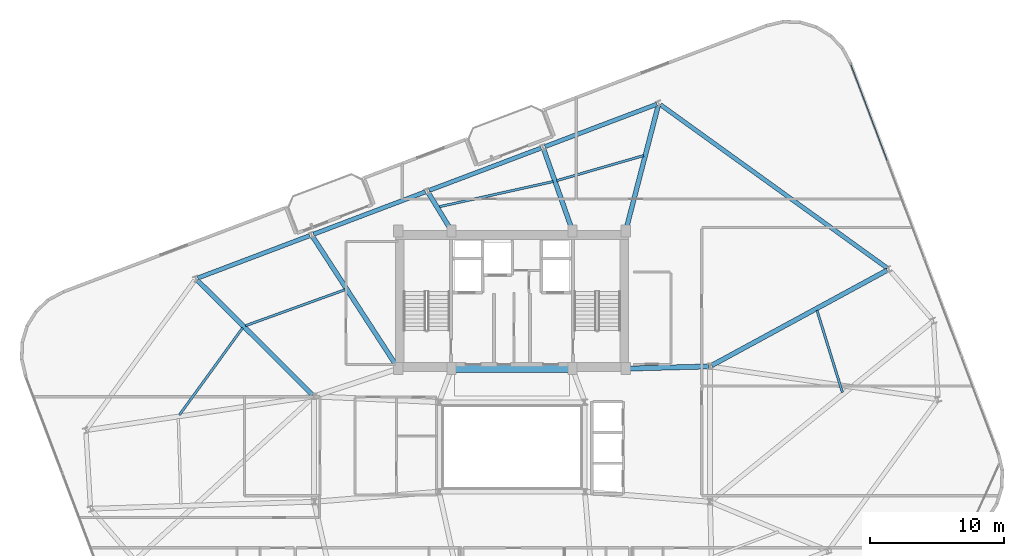
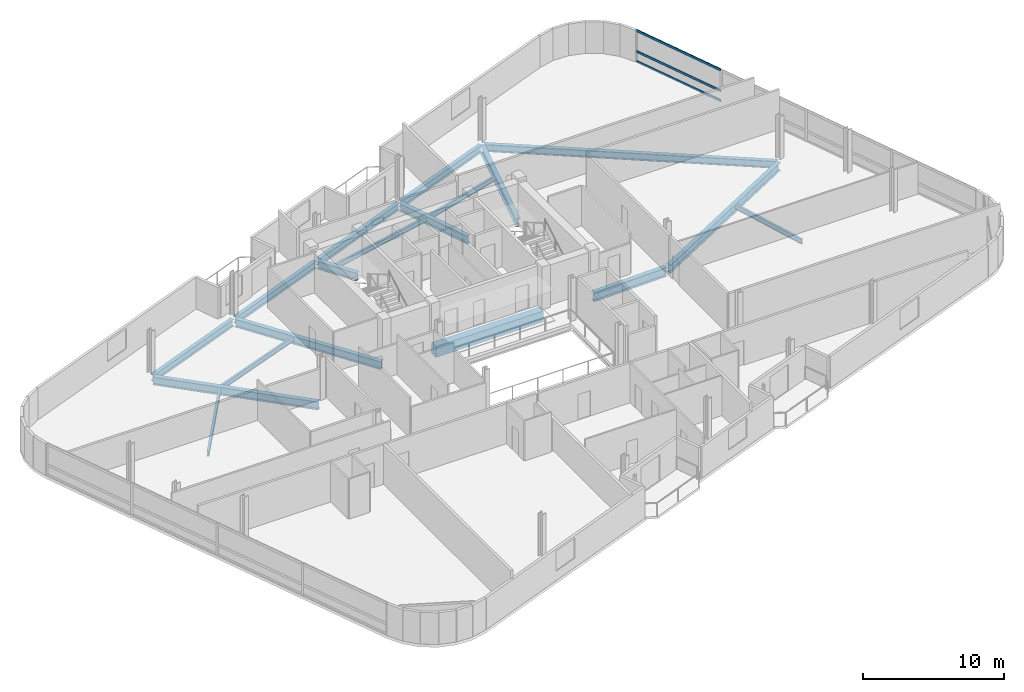
# One storey, part 11 of 23: 18 beams, 3 members, 1 element without a shape of its own.
"""IFC4 building model written with IfcOpenShell, lengths in metres."""

from ifc_helpers import new_model, si_unit, direction, frame, origin, origin_2d, place, context, subcontext, project, spatial, rectangle, hollow_rectangle, i_section, extrude, material, layer, layer_set, material_profile, profile_set, type_object, element, aggregate, save


model = new_model("IFC4")

# Units and contexts
model_context = context("Model", 3, precision=1e-05, world=origin(), true_north=direction((0.0, 1.0)))
body_context = subcontext(model_context, "Body", "Model", "MODEL_VIEW")
ifc_project = project(units=[si_unit("LENGTHUNIT", "METRE"), si_unit("AREAUNIT", "SQUARE_METRE"), si_unit("VOLUMEUNIT", "CUBIC_METRE"), si_unit("PLANEANGLEUNIT", "RADIAN"), si_unit("MASSUNIT", "GRAM", prefix="KILO")], contexts=[model_context])

# Site, building, storey
site_placement = place(None, origin())
site = spatial("IfcSite", under=ifc_project, at=site_placement, CompositionType="ELEMENT")
building_placement = place(site_placement, origin())
building = spatial("IfcBuilding", under=site, at=building_placement, Name="Varnelok Gate Tower", CompositionType="ELEMENT")
storey_placement = place(building_placement, frame((0.0, 0.0, 227.5)))
storey = spatial("IfcBuildingStorey", under=building, at=storey_placement, Name="L58", CompositionType="ELEMENT", Elevation=227.5)

# Beams
ifc_material_1 = material(Name="Structural Steel ASTM A992 Grade 50", Category="steel")
ifc_material_profile_1 = material_profile(ifc_material_1, i_section(OverallWidth=0.180908203125, OverallDepth=0.4169921875, WebThickness=0.010986328125, FlangeThickness=0.018310546875, FilletRadius=0.013916015625, at=origin_2d()), Name="W16X57")
ifc_profile_set_1 = profile_set([ifc_material_profile_1], Name="Structural Steel ASTM A992 Grade 50")
beam_type_1 = type_object("IfcBeamType", Name="BM-JST-W16X57", PredefinedType="JOIST", material=ifc_profile_set_1)
beam_1_placement = place(storey_placement, frame((63.898193359375, 26.977783203125, -0.45849609375), z_axis=(-0.296133488233, 0.955146563176, 0.0), x_axis=(-0.955146563176, -0.296133488233, 0.0)))
element("IfcBeam", 1, at=beam_1_placement, inside=storey, type_object=beam_type_1, Name="L58 Sector Floor Joist 6", PredefinedType="JOIST", context=body_context, shape_type="SweptSolid", body=[
    extrude(i_section(OverallWidth=0.180908203125, OverallDepth=0.4169921875, WebThickness=0.010986328125, FlangeThickness=0.018310546875, FilletRadius=0.013916015625, at=origin_2d()), origin(), (0.0, 0.0, 1.0), 6.415771484375),
])
beam_2_placement = place(storey_placement, frame((49.03564453125, 44.6767578125, -0.45849609375), z_axis=(-0.960863749944, -0.277021396365, 0.0), x_axis=(0.277021396365, -0.960863749944, 0.0)))
element("IfcBeam", 2, at=beam_2_placement, inside=storey, type_object=beam_type_1, Name="L58 Sector Floor Joist 7", PredefinedType="JOIST", context=body_context, shape_type="SweptSolid", body=[
    extrude(i_section(OverallWidth=0.180908203125, OverallDepth=0.4169921875, WebThickness=0.010986328125, FlangeThickness=0.018310546875, FilletRadius=0.013916015625, at=origin_2d()), origin(), (0.0, 0.0, 1.0), 6.75439453125),
])
beam_3_placement = place(storey_placement, frame((42.2744140625, 42.736572265625, -0.45849609375), z_axis=(-0.976391660432, -0.216007697639, 0.0), x_axis=(0.216007697639, -0.976391660432, 0.0)))
element("IfcBeam", 3, at=beam_3_placement, inside=storey, type_object=beam_type_1, Name="L58 Sector Floor Joist 8", PredefinedType="JOIST", context=body_context, shape_type="SweptSolid", body=[
    extrude(i_section(OverallWidth=0.180908203125, OverallDepth=0.4169921875, WebThickness=0.010986328125, FlangeThickness=0.018310546875, FilletRadius=0.013916015625, at=origin_2d()), origin(), (0.0, 0.0, 1.0), 8.7412109375),
])
beam_4_placement = place(storey_placement, frame((26.7119140625, 34.650390625, -0.45849609375), z_axis=(-0.940283740467, -0.340391667662, 0.0), x_axis=(0.340391667662, -0.940283740467, 0.0)))
element("IfcBeam", 4, at=beam_4_placement, inside=storey, type_object=beam_type_1, Name="L58 Sector Floor Joist 9", PredefinedType="JOIST", context=body_context, shape_type="SweptSolid", body=[
    extrude(i_section(OverallWidth=0.180908203125, OverallDepth=0.4169921875, WebThickness=0.010986328125, FlangeThickness=0.018310546875, FilletRadius=0.013916015625, at=origin_2d()), origin(), (0.0, 0.0, 1.0), 7.907470703125),
])
beam_5_placement = place(storey_placement, frame((19.0625, 31.797607421875, -0.45849609375), z_axis=(-0.587540144544, -0.809195018861, 0.0), x_axis=(0.809195018861, -0.587540144544, 0.0)))
element("IfcBeam", 5, at=beam_5_placement, inside=storey, type_object=beam_type_1, Name="L58 Sector Floor Joist 10", PredefinedType="JOIST", context=body_context, shape_type="SweptSolid", body=[
    extrude(i_section(OverallWidth=0.180908203125, OverallDepth=0.4169921875, WebThickness=0.010986328125, FlangeThickness=0.018310546875, FilletRadius=0.013916015625, at=origin_2d()), origin(), (0.0, 0.0, 1.0), 8.047119140625),
])
ifc_material_2 = material(Name="Concrete C60/75", Category="concrete")
ifc_material_profile_2 = material_profile(ifc_material_2, rectangle(XDim=0.60009765625, YDim=0.949951171875, at=origin_2d()), Name="RC950X600")
ifc_profile_set_2 = profile_set([ifc_material_profile_2], Name="Concrete C60/75")
beam_type_2 = type_object("IfcBeamType", Name="BM-LNT-RC950", PredefinedType="LINTEL", material=ifc_profile_set_2)
beam_6_placement = place(storey_placement, frame((34.800048828125, 28.75, -0.72509765625), z_axis=(1.0, 0.0, 0.0), x_axis=(0.0, 1.0, 0.0)))
element("IfcBeam", 6, at=beam_6_placement, inside=storey, type_object=beam_type_2, Name="L58 Core-Atrium Spine Beam 7", PredefinedType="LINTEL", context=body_context, shape_type="SweptSolid", body=[
    extrude(rectangle(XDim=0.60009765625, YDim=0.949951171875, at=origin_2d()), origin(), (0.0, 0.0, 1.0), 8.800048828125),
])
ifc_material_profile_3 = material_profile(ifc_material_1, i_section(OverallWidth=0.35498046875, OverallDepth=0.696044921875, WebThickness=0.015380859375, FlangeThickness=0.02490234375, FilletRadius=0.02001953125, at=origin_2d()), Name="W27X146")
ifc_profile_set_3 = profile_set([ifc_material_profile_3], Name="Structural Steel ASTM A992 Grade 50")
beam_type_3 = type_object("IfcBeamType", Name="BM-PRI-W27X146", PredefinedType="BEAM", material=ifc_profile_set_3)
beam_7_placement = place(storey_placement, frame((54.1318359375, 28.99169921875, -0.597900390625), z_axis=(0.878855196349, 0.477088612157, 0.0), x_axis=(-0.477088612157, 0.878855196349, 0.0)))
element("IfcBeam", 7, at=beam_7_placement, inside=storey, type_object=beam_type_3, Name="L58 Radial Floor Girder 8", PredefinedType="BEAM", context=body_context, shape_type="SweptSolid", body=[
    extrude(i_section(OverallWidth=0.35498046875, OverallDepth=0.696044921875, WebThickness=0.015380859375, FlangeThickness=0.02490234375, FilletRadius=0.02001953125, at=origin_2d()), origin(), (0.0, 0.0, 1.0), 14.91650390625),
])
beam_8_placement = place(storey_placement, frame((47.73779296875, 39.1953125, -0.597900390625), z_axis=(0.251175366301, 0.967941597083, 0.0), x_axis=(-0.967941597083, 0.251175366301, 0.0)))
element("IfcBeam", 8, at=beam_8_placement, inside=storey, type_object=beam_type_3, Name="L58 Radial Floor Girder 9", PredefinedType="BEAM", context=body_context, shape_type="SweptSolid", body=[
    extrude(i_section(OverallWidth=0.35498046875, OverallDepth=0.696044921875, WebThickness=0.015380859375, FlangeThickness=0.02490234375, FilletRadius=0.02001953125, at=origin_2d()), origin(), (0.0, 0.0, 1.0), 9.537109375),
])
beam_9_placement = place(storey_placement, frame((43.670166015625, 39.19140625, -0.597900390625), z_axis=(-0.332145441042, 0.943228183419, 0.0), x_axis=(-0.943228183419, -0.332145441042, 0.0)))
element("IfcBeam", 9, at=beam_9_placement, inside=storey, type_object=beam_type_3, Name="L58 Radial Floor Girder 10", PredefinedType="BEAM", context=body_context, shape_type="SweptSolid", body=[
    extrude(i_section(OverallWidth=0.35498046875, OverallDepth=0.696044921875, WebThickness=0.015380859375, FlangeThickness=0.02490234375, FilletRadius=0.02001953125, at=origin_2d()), origin(), (0.0, 0.0, 1.0), 6.32275390625),
])
beam_10_placement = place(storey_placement, frame((34.60205078125, 39.177978515625, -0.597900390625), z_axis=(-0.520275699177, 0.853998358808, 0.0), x_axis=(-0.853998358808, -0.520275699177, 0.0)))
element("IfcBeam", 10, at=beam_10_placement, inside=storey, type_object=beam_type_3, Name="L58 Radial Floor Girder 11", PredefinedType="BEAM", context=body_context, shape_type="SweptSolid", body=[
    extrude(i_section(OverallWidth=0.35498046875, OverallDepth=0.696044921875, WebThickness=0.015380859375, FlangeThickness=0.02490234375, FilletRadius=0.02001953125, at=origin_2d()), origin(), (0.0, 0.0, 1.0), 3.18017578125),
])
beam_11_placement = place(storey_placement, frame((30.618408203125, 28.8759765625, -0.597900390625), z_axis=(-0.544016338938, 0.839074623004, 0.0), x_axis=(-0.839074623004, -0.544016338938, 0.0)))
element("IfcBeam", 11, at=beam_11_placement, inside=storey, type_object=beam_type_3, Name="L58 Radial Floor Girder 12", PredefinedType="BEAM", context=body_context, shape_type="SweptSolid", body=[
    extrude(i_section(OverallWidth=0.35498046875, OverallDepth=0.696044921875, WebThickness=0.015380859375, FlangeThickness=0.02490234375, FilletRadius=0.02001953125, at=origin_2d()), origin(), (0.0, 0.0, 1.0), 11.61376953125),
])
beam_12_placement = place(storey_placement, frame((24.293701171875, 26.785888671875, -0.597900390625), z_axis=(-0.708740938647, 0.705468838352, 0.0), x_axis=(-0.705468838352, -0.708740938647, 0.0)))
element("IfcBeam", 12, at=beam_12_placement, inside=storey, type_object=beam_type_3, Name="L58 Radial Floor Girder 13", PredefinedType="BEAM", context=body_context, shape_type="SweptSolid", body=[
    extrude(i_section(OverallWidth=0.35498046875, OverallDepth=0.696044921875, WebThickness=0.015380859375, FlangeThickness=0.02490234375, FilletRadius=0.02001953125, at=origin_2d()), origin(), (0.0, 0.0, 1.0), 12.161865234375),
])
ifc_material_profile_4 = material_profile(ifc_material_1, i_section(OverallWidth=0.381103515625, OverallDepth=0.77294921875, WebThickness=0.0166015625, FlangeThickness=0.027099609375, FilletRadius=0.02197265625, at=origin_2d()), Name="W30X173")
ifc_profile_set_4 = profile_set([ifc_material_profile_4], Name="Structural Steel ASTM A992 Grade 50")
beam_type_4 = type_object("IfcBeamType", Name="BM-PRI-W30X173", PredefinedType="BEAM", material=ifc_profile_set_4)
beam_13_placement = place(storey_placement, frame((47.820068359375, 28.753173828125, -0.636474609375), z_axis=(0.999635880609, 0.026983443053, 0.0), x_axis=(-0.026983443053, 0.999635880609, 0.0)))
element("IfcBeam", 13, at=beam_13_placement, inside=storey, type_object=beam_type_4, Name="L58 Core-Atrium Spine Beam 19", PredefinedType="BEAM", context=body_context, shape_type="SweptSolid", body=[
    extrude(i_section(OverallWidth=0.381103515625, OverallDepth=0.77294921875, WebThickness=0.0166015625, FlangeThickness=0.027099609375, FilletRadius=0.02197265625, at=origin_2d()), origin(), (0.0, 0.0, 1.0), 6.06201171875),
])
ifc_material_profile_5 = material_profile(ifc_material_1, i_section(OverallWidth=0.323974609375, OverallDepth=0.611083984375, WebThickness=0.0126953125, FlangeThickness=0.01904296875, FilletRadius=0.01806640625, at=origin_2d()), Name="W24X104")
ifc_profile_set_5 = profile_set([ifc_material_profile_5], Name="Structural Steel ASTM A992 Grade 50")
beam_type_5 = type_object("IfcBeamType", Name="BM-SPN-W24X104", PredefinedType="SPANDREL", material=ifc_profile_set_5)
beam_14_placement = place(storey_placement, frame((67.251220703125, 36.267333984375, -0.555419921875), z_axis=(-0.811382769408, 0.58451518501, 0.0), x_axis=(-0.58451518501, -0.811382769408, 0.0)))
element("IfcBeam", 14, at=beam_14_placement, inside=storey, type_object=beam_type_5, Name="L58 Perimeter Spandrel Beam 8", PredefinedType="SPANDREL", context=body_context, shape_type="SweptSolid", body=[
    extrude(i_section(OverallWidth=0.323974609375, OverallDepth=0.611083984375, WebThickness=0.0126953125, FlangeThickness=0.01904296875, FilletRadius=0.01806640625, at=origin_2d()), origin(), (0.0, 0.0, 1.0), 20.900634765625),
])
beam_15_placement = place(storey_placement, frame((50.03076171875, 48.518798828125, -0.555419921875), z_axis=(-0.935220356141, -0.354066216208, 0.0), x_axis=(0.354066216208, -0.935220356141, 0.0)))
element("IfcBeam", 15, at=beam_15_placement, inside=storey, type_object=beam_type_5, Name="L58 Perimeter Spandrel Beam 9", PredefinedType="SPANDREL", context=body_context, shape_type="SweptSolid", body=[
    extrude(i_section(OverallWidth=0.323974609375, OverallDepth=0.611083984375, WebThickness=0.0126953125, FlangeThickness=0.01904296875, FilletRadius=0.01806640625, at=origin_2d()), origin(), (0.0, 0.0, 1.0), 8.9501953125),
])
for number, where, z_axis, x_axis, name in (
    (16, (41.3798828125, 45.24365234375, -0.555419921875), (-0.935225969099, -0.354051389947, 0.0), (0.354051389947, -0.935225969099, 0.0), "L58 Perimeter Spandrel Beam 10"),
    (17, (32.72900390625, 41.96875, -0.555419921875), (-0.935216936382, -0.354075248928, 0.0), (0.354075248928, -0.935216936382, 0.0), "L58 Perimeter Spandrel Beam 11"),
):
    element("IfcBeam", number, at=place(storey_placement, frame(where, z_axis=z_axis, x_axis=x_axis)), inside=storey, type_object=beam_type_5, Name=name, PredefinedType="SPANDREL", context=body_context, shape_type="SweptSolid", body=[
        extrude(i_section(OverallWidth=0.323974609375, OverallDepth=0.611083984375, WebThickness=0.0126953125, FlangeThickness=0.01904296875, FilletRadius=0.01806640625, at=origin_2d()), origin(), (0.0, 0.0, 1.0), 8.949951171875),
    ])
beam_16_placement = place(storey_placement, frame((24.078369140625, 38.693603515625, -0.555419921875), z_axis=(-0.935220356141, -0.354066216208, 0.0), x_axis=(0.354066216208, -0.935220356141, 0.0)))
element("IfcBeam", 18, at=beam_16_placement, inside=storey, type_object=beam_type_5, Name="L58 Perimeter Spandrel Beam 12", PredefinedType="SPANDREL", context=body_context, shape_type="SweptSolid", body=[
    extrude(i_section(OverallWidth=0.323974609375, OverallDepth=0.611083984375, WebThickness=0.0126953125, FlangeThickness=0.01904296875, FilletRadius=0.01806640625, at=origin_2d()), origin(), (0.0, 0.0, 1.0), 8.9501953125),
])

# Curtain wall, members
ifc_material_3 = material(Name="Anodized Aluminum Alloy 6063-T6", Category="aluminium")
ifc_layer = layer(ifc_material_3, 0.179931640625)
ifc_layer_set = layer_set([ifc_layer], Name="Anodized Aluminum Alloy 6063-T6")
curtain_wall_type = type_object("IfcCurtainWallType", Name="CW4-RESIDENCE-VISION", PredefinedType="USERDEFINED", material=ifc_layer_set)
curtain_wall_placement = place(storey_placement, origin())
curtain_wall = element("IfcCurtainWall", 19, at=curtain_wall_placement, inside=storey, type_object=curtain_wall_type, Name="L58 East End Vision Curtain Wall", ObjectType="UNITISED CURTAIN WALL", PredefinedType="USERDEFINED")
ifc_material_profile_6 = material_profile(ifc_material_3, hollow_rectangle(XDim=0.074951171875, YDim=0.199951171875, WallThickness=0.00390625, at=origin_2d()), Name="ALU200X75X4")
ifc_profile_set_6 = profile_set([ifc_material_profile_6], Name="Anodized Aluminum Alloy 6063-T6")
member_type = type_object("IfcMemberType", Name="CW-TRAN-200", PredefinedType="USERDEFINED", material=ifc_profile_set_6)
member_1_placement = place(storey_placement, frame((64.528076171875, 51.4892578125, 0.03759765625), z_axis=(0.354073041953, -0.935217771945, 0.0), x_axis=(0.935217771945, 0.354073041953, 0.0)))
member_1 = element("IfcMember", 20, at=member_1_placement, type_object=member_type, Name="CW4 transom 1.1", ObjectType="TRANSOM", PredefinedType="USERDEFINED", context=body_context, shape_type="SweptSolid", body=[
    extrude(hollow_rectangle(XDim=0.074951171875, YDim=0.199951171875, WallThickness=0.00390625, at=origin_2d()), origin(), (0.0, 0.0, 1.0), 7.6875),
])
member_2_placement = place(storey_placement, frame((64.528076171875, 51.4892578125, 0.89990234375), z_axis=(0.354073041953, -0.935217771945, 0.0), x_axis=(0.935217771945, 0.354073041953, 0.0)))
member_2 = element("IfcMember", 21, at=member_2_placement, type_object=member_type, Name="CW4 transom 1.2", ObjectType="TRANSOM", PredefinedType="USERDEFINED", context=body_context, shape_type="SweptSolid", body=[
    extrude(hollow_rectangle(XDim=0.074951171875, YDim=0.199951171875, WallThickness=0.00390625, at=origin_2d()), origin(), (0.0, 0.0, 1.0), 7.6875),
])
member_3_placement = place(storey_placement, frame((64.528076171875, 51.4892578125, 2.6923828125), z_axis=(0.354073041953, -0.935217771945, 0.0), x_axis=(0.935217771945, 0.354073041953, 0.0)))
member_3 = element("IfcMember", 22, at=member_3_placement, type_object=member_type, Name="CW4 transom 1.3", ObjectType="TRANSOM", PredefinedType="USERDEFINED", context=body_context, shape_type="SweptSolid", body=[
    extrude(hollow_rectangle(XDim=0.074951171875, YDim=0.199951171875, WallThickness=0.00390625, at=origin_2d()), origin(), (0.0, 0.0, 1.0), 7.6875),
])
aggregate(curtain_wall, [member_1, member_2, member_3])

save(model, "model.ifc")
